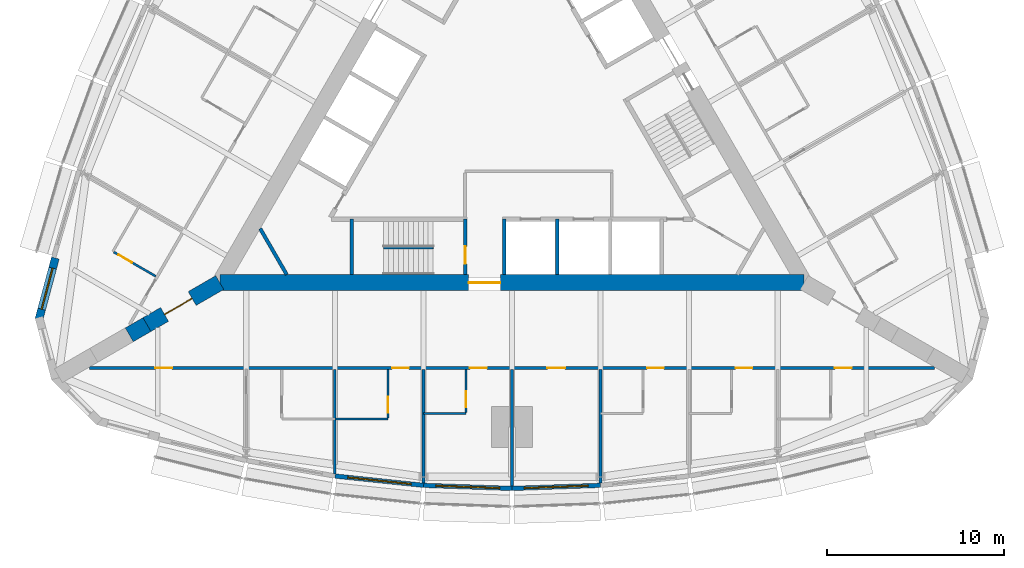
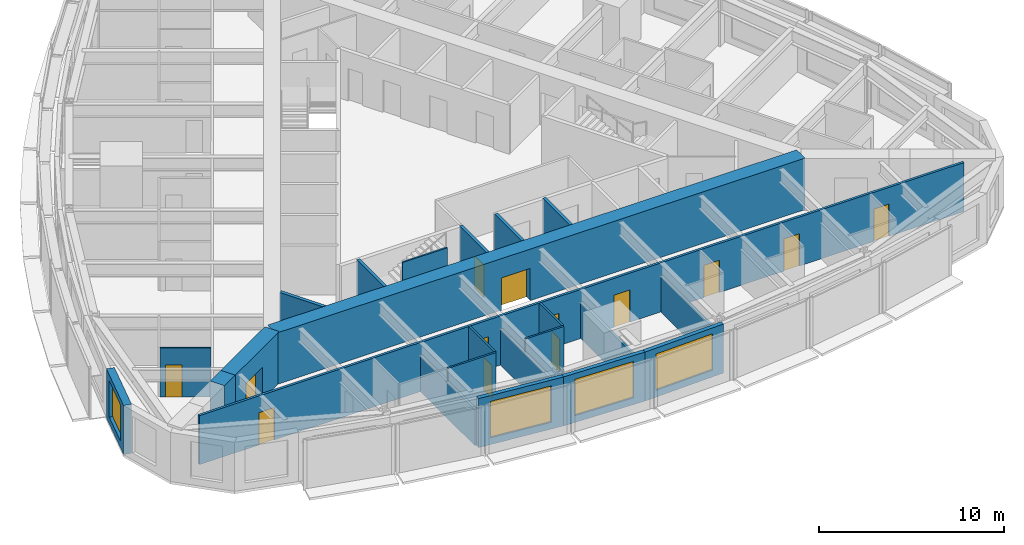
# One storey, part 8 of 14: 23 walls, 13 doors, 4 windows, 17 openings.
"""IFC4 building model written with IfcOpenShell, lengths in metres."""

from ifc_helpers import new_model, si_unit, direction, frame, frame_2d, origin, place, context, subcontext, project, spatial, rectangle, extrude, material, layer, layer_set, type_object, element, fill, save


model = new_model("IFC4")

# Units and contexts
model_context = context("Model", 3, precision=1e-05, world=origin(), true_north=direction((0.0, 1.0)))
body_context = subcontext(model_context, "Body", "Model", "MODEL_VIEW")
ifc_project = project(units=[si_unit("LENGTHUNIT", "METRE"), si_unit("AREAUNIT", "SQUARE_METRE"), si_unit("VOLUMEUNIT", "CUBIC_METRE"), si_unit("PLANEANGLEUNIT", "RADIAN"), si_unit("MASSUNIT", "GRAM", prefix="KILO")], contexts=[model_context])

# Site, building, storey
site_placement = place(None, origin())
site = spatial("IfcSite", under=ifc_project, at=site_placement, CompositionType="ELEMENT")
building_placement = place(site_placement, origin())
building = spatial("IfcBuilding", under=site, at=building_placement, Name="Trikona Tower", CompositionType="ELEMENT")
storey_placement = place(building_placement, frame((0.0, 0.0, 148.699951171875)))
storey = spatial("IfcBuildingStorey", under=building, at=storey_placement, Name="L39", CompositionType="ELEMENT", Elevation=148.699951171875)

# Wall
ifc_material_1 = material(Name="Metal stud and cement board", Category="gypsum")
ifc_layer_1 = layer(ifc_material_1, 0.1201171875)
ifc_layer_set_1 = layer_set([ifc_layer_1], Name="Bathroom wall 120")
wall_type_1 = type_object("IfcWallType", Name="Bathroom wall 120", PredefinedType="PLUMBINGWALL", material=ifc_layer_set_1)
wall_1_placement = place(storey_placement, frame((-10.0, -17.226318359375, 0.0), z_axis=(0.0, 0.0, 1.0), x_axis=(1.0, 0.0, 0.0)))
element("IfcWall", 1, at=wall_1_placement, inside=storey, type_object=wall_type_1, Name="Bathroom wall 3902", PredefinedType="PLUMBINGWALL", context=body_context, shape_type="SweptSolid", body=[
    extrude(rectangle(XDim=3.0, YDim=0.1201171875, at=frame_2d((1.5, 0.0))), origin(), (0.0, 0.0, 1.0), 3.235107421875),
])

# Wall, opening, door
wall_2_placement = place(storey_placement, frame((-7.0, -14.42626953125, 0.0), z_axis=(0.0, 0.0, 1.0), x_axis=(0.0, -1.0, 0.0)))
wall_2 = element("IfcWall", 2, at=wall_2_placement, inside=storey, type_object=wall_type_1, Name="Bathroom wall 3902", PredefinedType="PLUMBINGWALL", context=body_context, shape_type="SweptSolid", body=[
    extrude(rectangle(XDim=2.739990234375, YDim=0.1201171875, at=frame_2d((1.3701171875, 0.0))), origin(), (0.0, 0.0, 1.0), 3.235107421875),
])
opening_1_placement = place(wall_2_placement, frame((1.550048828125, 0.0, 0.0)))
opening_1 = element("IfcOpeningElement", 3, at=opening_1_placement, cuts=wall_2, Name="Opening D2", PredefinedType="OPENING", context=body_context, shape_type="SweptSolid", body=[
    extrude(rectangle(XDim=0.89990234375, YDim=2.1298828125, at=frame_2d((0.449951171875, 1.06494140625))), frame((0.0, 0.070068359375, 0.0), z_axis=(0.0, -1.0, 0.0), x_axis=(1.0, 0.0, 0.0)), (0.0, 0.0, 1.0), 0.14013671875),
])
ifc_material_2 = material(Name="Steel door frame with solid-core timber leaf", Category="steel")
door_type_1 = type_object("IfcDoorType", Name="Bathroom door 900x2130", OperationType="SLIDING_TO_LEFT", PredefinedType="DOOR", material=ifc_material_2)
door_1_placement = place(opening_1_placement, origin())
door_1 = element("IfcDoor", 4, at=door_1_placement, inside=storey, type_object=door_type_1, Name="Bathroom door 3902", OperationType="SLIDING_TO_LEFT", OverallHeight=2.1298828125, OverallWidth=0.89990234375, PredefinedType="DOOR", context=body_context, shape_type="SweptSolid", body=[
    extrude(rectangle(XDim=0.89990234375, YDim=2.1298828125, at=frame_2d((0.449951171875, 1.06494140625))), frame((0.0, 0.02490234375, 0.0), z_axis=(0.0, -1.0, 0.0), x_axis=(1.0, 0.0, 0.0)), (0.0, 0.0, 1.0), 0.050048828125),
])
fill(opening_1, door_1)

# Wall
wall_3_placement = place(storey_placement, frame((-5.0, -16.92626953125, 0.0), z_axis=(0.0, 0.0, 1.0), x_axis=(1.0, 0.0, 0.0)))
element("IfcWall", 5, at=wall_3_placement, inside=storey, type_object=wall_type_1, Name="Bathroom wall 3903", PredefinedType="PLUMBINGWALL", context=body_context, shape_type="SweptSolid", body=[
    extrude(rectangle(XDim=2.39990234375, YDim=0.1201171875, at=frame_2d((1.199951171875, 0.0))), origin(), (0.0, 0.0, 1.0), 3.235107421875),
])

# Wall, opening, door
wall_4_placement = place(storey_placement, frame((-2.60009765625, -14.42626953125, 0.0), z_axis=(0.0, 0.0, 1.0), x_axis=(0.0, -1.0, 0.0)))
wall_4 = element("IfcWall", 6, at=wall_4_placement, inside=storey, type_object=wall_type_1, Name="Bathroom wall 3903", PredefinedType="PLUMBINGWALL", context=body_context, shape_type="SweptSolid", body=[
    extrude(rectangle(XDim=2.43994140625, YDim=0.1201171875, at=frame_2d((1.219970703125, 0.0))), origin(), (0.0, 0.0, 1.0), 3.235107421875),
])
opening_2_placement = place(wall_4_placement, frame((1.25, 0.0, 0.0)))
opening_2 = element("IfcOpeningElement", 7, at=opening_2_placement, cuts=wall_4, Name="Opening D2", PredefinedType="OPENING", context=body_context, shape_type="SweptSolid", body=[
    extrude(rectangle(XDim=0.89990234375, YDim=2.1298828125, at=frame_2d((0.449951171875, 1.06494140625))), frame((0.0, 0.070068359375, 0.0), z_axis=(0.0, -1.0, 0.0), x_axis=(1.0, 0.0, 0.0)), (0.0, 0.0, 1.0), 0.14013671875),
])
door_2_placement = place(opening_2_placement, origin())
door_2 = element("IfcDoor", 8, at=door_2_placement, inside=storey, type_object=door_type_1, Name="Bathroom door 3903", OperationType="SLIDING_TO_LEFT", OverallHeight=2.1298828125, OverallWidth=0.89990234375, PredefinedType="DOOR", context=body_context, shape_type="SweptSolid", body=[
    extrude(rectangle(XDim=0.89990234375, YDim=2.1298828125, at=frame_2d((0.449951171875, 1.06494140625))), frame((0.0, 0.02490234375, 0.0), z_axis=(0.0, -1.0, 0.0), x_axis=(1.0, 0.0, 0.0)), (0.0, 0.0, 1.0), 0.050048828125),
])
fill(opening_2, door_2)

wall_5_placement = place(storey_placement, frame((-20.10791015625, -9.17529296875, 0.0), z_axis=(0.0, 0.0, 1.0), x_axis=(-0.866035715982, 0.499982138324, 0.0)))
wall_5 = element("IfcWall", 9, at=wall_5_placement, inside=storey, type_object=wall_type_1, Name="Bathroom wall 3917", PredefinedType="PLUMBINGWALL", context=body_context, shape_type="SweptSolid", body=[
    extrude(rectangle(XDim=2.73974609375, YDim=0.1201171875, at=frame_2d((1.369873046875, 0.0))), origin(), (0.0, 0.0, 1.0), 3.235107421875),
])
opening_3_placement = place(wall_5_placement, frame((1.550048828125, 0.0, 0.0)))
opening_3 = element("IfcOpeningElement", 10, at=opening_3_placement, cuts=wall_5, Name="Opening D2", PredefinedType="OPENING", context=body_context, shape_type="SweptSolid", body=[
    extrude(rectangle(XDim=0.89990234375, YDim=2.1298828125, at=frame_2d((0.449951171875, 1.06494140625))), frame((0.0, 0.070068359375, 0.0), z_axis=(0.0, -1.0, 0.0), x_axis=(1.0, 0.0, 0.0)), (0.0, 0.0, 1.0), 0.14013671875),
])
door_3_placement = place(opening_3_placement, origin())
door_3 = element("IfcDoor", 11, at=door_3_placement, inside=storey, type_object=door_type_1, Name="Bathroom door 3917", OperationType="SLIDING_TO_LEFT", OverallHeight=2.1298828125, OverallWidth=0.89990234375, PredefinedType="DOOR", context=body_context, shape_type="SweptSolid", body=[
    extrude(rectangle(XDim=0.89990234375, YDim=2.1298828125, at=frame_2d((0.449951171875, 1.06494140625))), frame((0.0, 0.02490234375, 0.0), z_axis=(0.0, -1.0, 0.0), x_axis=(1.0, 0.0, 0.0)), (0.0, 0.0, 1.0), 0.050048828125),
])
fill(opening_3, door_3)

# Wall, opening, window
ifc_material_3 = material(Name="Brick-faced precast concrete", Category="masonry")
ifc_layer_2 = layer(ifc_material_3, 0.449951171875)
ifc_layer_set_2 = layer_set([ifc_layer_2], Name="Brick-faced corner wall 450")
wall_type_2 = type_object("IfcWallType", Name="Brick-faced corner wall 450", PredefinedType="SOLIDWALL", material=ifc_layer_set_2)
wall_6_placement = place(storey_placement, frame((-25.78271484375, -8.14111328125, 0.0), z_axis=(0.0, 0.0, 1.0), x_axis=(-0.258823421857, -0.965924653531, 0.0)))
wall_6 = element("IfcWall", 12, at=wall_6_placement, inside=storey, type_object=wall_type_2, Name="External wall L39-32", PredefinedType="SOLIDWALL", context=body_context, shape_type="SweptSolid", body=[
    extrude(rectangle(XDim=3.58642578125, YDim=0.449951171875, at=frame_2d((1.793212890625, 0.0))), origin(), (0.0, 0.0, 1.0), 3.235107421875),
])
opening_4_placement = place(wall_6_placement, frame((0.593017578125, 0.0, 0.449951171875)))
opening_4 = element("IfcOpeningElement", 13, at=opening_4_placement, cuts=wall_6, Name="Opening W2424", PredefinedType="OPENING", context=body_context, shape_type="SweptSolid", body=[
    extrude(rectangle(XDim=2.39990234375, YDim=2.39990234375, at=frame_2d((1.199951171875, 1.199951171875))), frame((0.0, 0.23486328125, 0.0), z_axis=(0.0, -1.0, 0.0), x_axis=(1.0, 0.0, 0.0)), (0.0, 0.0, 1.0), 0.469970703125),
])
ifc_material_4 = material(Name="Aluminium-framed double glazing", Category="aluminium")
window_type_1 = type_object("IfcWindowType", Name="Window 2400x2400", PartitioningType="SINGLE_PANEL", PredefinedType="WINDOW", material=ifc_material_4)
window_1_placement = place(opening_4_placement, origin())
window_1 = element("IfcWindow", 14, at=window_1_placement, inside=storey, type_object=window_type_1, Name="Window 3917", OverallHeight=2.39990234375, OverallWidth=2.39990234375, PartitioningType="SINGLE_PANEL", PredefinedType="WINDOW", context=body_context, shape_type="SweptSolid", body=[
    extrude(rectangle(XDim=2.39990234375, YDim=2.39990234375, at=frame_2d((1.199951171875, 1.199951171875))), frame((0.0, 0.030029296875, 0.0), z_axis=(0.0, -1.0, 0.0), x_axis=(1.0, 0.0, 0.0)), (0.0, 0.0, 1.0), 0.06005859375),
])
fill(opening_4, window_1)

# Wall, opening, door
ifc_material_5 = material(Name="Concrete f'c 10000 psi", Category="concrete")
ifc_layer_3 = layer(ifc_material_5, 0.89990234375)
ifc_layer_set_3 = layer_set([ifc_layer_3], Name="Buttress wall 900")
wall_type_3 = type_object("IfcWallType", Name="Buttress wall 900", PredefinedType="SHEAR", material=ifc_layer_set_3)
wall_7_placement = place(storey_placement, frame((-16.5, -9.5263671875, 0.0), z_axis=(0.0, 0.0, 1.0), x_axis=(-0.866031398331, -0.499989616998, 0.0)))
wall_7 = element("IfcWall", 15, at=wall_7_placement, inside=storey, type_object=wall_type_3, Name="Buttress wall 3", PredefinedType="SHEAR", context=body_context, shape_type="SweptSolid", body=[
    extrude(rectangle(XDim=4.74609375, YDim=0.89990234375, at=frame_2d((2.373046875, 0.0))), origin(), (0.0, 0.0, 1.0), 3.400146484375),
])
opening_5_placement = place(wall_7_placement, frame((1.800048828125, 0.0, 0.0)))
opening_5 = element("IfcOpeningElement", 16, at=opening_5_placement, cuts=wall_7, Name="Opening D10", PredefinedType="OPENING", context=body_context, shape_type="SweptSolid", body=[
    extrude(rectangle(XDim=1.800048828125, YDim=2.1298828125, at=frame_2d((0.89990234375, 1.06494140625))), frame((0.0, 0.4599609375, 0.0), z_axis=(0.0, -1.0, 0.0), x_axis=(1.0, 0.0, 0.0)), (0.0, 0.0, 1.0), 0.919921875),
])
ifc_material_6 = material(Name="Hollow metal door and frame", Category="steel")
door_type_2 = type_object("IfcDoorType", Name="Cross-corridor door pair 1800x2130", OperationType="DOUBLE_DOOR_DOUBLE_SWING", PredefinedType="DOOR", material=ifc_material_6)
door_4_placement = place(opening_5_placement, origin())
door_4 = element("IfcDoor", 17, at=door_4_placement, inside=storey, type_object=door_type_2, Name="Cross-corridor door 3", OperationType="DOUBLE_DOOR_DOUBLE_SWING", OverallHeight=2.1298828125, OverallWidth=1.800048828125, PredefinedType="DOOR", context=body_context, shape_type="SweptSolid", body=[
    extrude(rectangle(XDim=1.800048828125, YDim=2.1298828125, at=frame_2d((0.89990234375, 1.06494140625))), frame((0.0, 0.02490234375, 0.0), z_axis=(0.0, -1.0, 0.0), x_axis=(1.0, 0.0, 0.0)), (0.0, 0.0, 1.0), 0.050048828125),
])
fill(opening_5, door_4)

# Wall
wall_8_placement = place(storey_placement, frame((-20.6103515625, -11.8994140625, 0.0), z_axis=(0.0, 0.0, 1.0), x_axis=(-0.866009537788, -0.500027479704, 0.0)))
element("IfcWall", 18, at=wall_8_placement, inside=storey, type_object=wall_type_3, Name="Buttress wall 3 part 2", PredefinedType="SHEAR", context=body_context, shape_type="SweptSolid", body=[
    extrude(rectangle(XDim=1.15478515625, YDim=0.89990234375, at=frame_2d((0.577392578125, 0.0))), origin(), (0.0, 0.0, 1.0), 3.400146484375),
])

# Wall, opening, door
ifc_material_7 = material(Name="Concrete f'c 10000 psi", Category="concrete")
ifc_layer_4 = layer(ifc_material_7, 0.89990234375)
ifc_layer_set_4 = layer_set([ifc_layer_4], Name="Core wall 900")
wall_type_4 = type_object("IfcWallType", Name="Core wall 900", PredefinedType="SHEAR", material=ifc_layer_set_4)
wall_9_placement = place(storey_placement, frame((-16.5, -9.5263671875, 0.0), z_axis=(0.0, 0.0, 1.0), x_axis=(1.0, 0.0, 0.0)))
wall_9 = element("IfcWall", 19, at=wall_9_placement, inside=storey, type_object=wall_type_4, Name="Core wall A", PredefinedType="SHEAR", context=body_context, shape_type="SweptSolid", body=[
    extrude(rectangle(XDim=33.0, YDim=0.89990234375, at=frame_2d((16.5, 0.0))), origin(), (0.0, 0.0, 1.0), 3.400146484375),
])
opening_6_placement = place(wall_9_placement, frame((14.050048828125, 0.0, 0.0)))
opening_6 = element("IfcOpeningElement", 20, at=opening_6_placement, cuts=wall_9, Name="Opening D6", PredefinedType="OPENING", context=body_context, shape_type="SweptSolid", body=[
    extrude(rectangle(XDim=1.800048828125, YDim=2.1298828125, at=frame_2d((0.89990234375, 1.06494140625))), frame((0.0, 0.4599609375, 0.0), z_axis=(0.0, -1.0, 0.0), x_axis=(1.0, 0.0, 0.0)), (0.0, 0.0, 1.0), 0.919921875),
])
ifc_material_8 = material(Name="Hollow metal door and frame", Category="steel")
door_type_3 = type_object("IfcDoorType", Name="Lobby door pair 1800x2130", OperationType="DOUBLE_DOOR_SINGLE_SWING", PredefinedType="DOOR", material=ifc_material_8)
door_5_placement = place(opening_6_placement, origin())
door_5 = element("IfcDoor", 21, at=door_5_placement, inside=storey, type_object=door_type_3, Name="Fire service lift lobby door", OperationType="DOUBLE_DOOR_SINGLE_SWING", OverallHeight=2.1298828125, OverallWidth=1.800048828125, PredefinedType="DOOR", context=body_context, shape_type="SweptSolid", body=[
    extrude(rectangle(XDim=1.800048828125, YDim=2.1298828125, at=frame_2d((0.89990234375, 1.06494140625))), frame((0.0, 0.02490234375, 0.0), z_axis=(0.0, -1.0, 0.0), x_axis=(1.0, 0.0, 0.0)), (0.0, 0.0, 1.0), 0.050048828125),
])
fill(opening_6, door_5)

# Wall, openings, doors
ifc_material_9 = material(Name="Metal stud and gypsum board, 1-hour", Category="gypsum")
ifc_layer_5 = layer(ifc_material_9, 0.14990234375)
ifc_layer_set_5 = layer_set([ifc_layer_5], Name="Corridor wall 150")
wall_type_5 = type_object("IfcWallType", Name="Corridor wall 150", PredefinedType="PARTITIONING", material=ifc_layer_set_5)
wall_10_placement = place(storey_placement, frame((-23.857177734375, -14.351318359375, 0.0), z_axis=(0.0, 0.0, 1.0), x_axis=(1.0, 0.0, 0.0)))
wall_10 = element("IfcWall", 22, at=wall_10_placement, inside=storey, type_object=wall_type_5, Name="Corridor wall L39-1", PredefinedType="PARTITIONING", context=body_context, shape_type="SweptSolid", body=[
    extrude(rectangle(XDim=47.71435546875, YDim=0.14990234375, at=frame_2d((23.857177734375, 0.0))), origin(), (0.0, 0.0, 1.0), 3.235107421875),
])
opening_7_placement = place(wall_10_placement, frame((3.723388671875, 0.0, 0.0)))
opening_7 = element("IfcOpeningElement", 23, at=opening_7_placement, cuts=wall_10, Name="Opening D1", PredefinedType="OPENING", context=body_context, shape_type="SweptSolid", body=[
    extrude(rectangle(XDim=0.949951171875, YDim=2.1298828125, at=frame_2d((0.47509765625, 1.06494140625))), frame((0.0, 0.0849609375, 0.0), z_axis=(0.0, -1.0, 0.0), x_axis=(1.0, 0.0, 0.0)), (0.0, 0.0, 1.0), 0.169921875),
])
opening_8_placement = place(wall_10_placement, frame((17.08203125, 0.0, 0.0)))
opening_8 = element("IfcOpeningElement", 24, at=opening_8_placement, cuts=wall_10, Name="Opening D1", PredefinedType="OPENING", context=body_context, shape_type="SweptSolid", body=[
    extrude(rectangle(XDim=0.949951171875, YDim=2.1298828125, at=frame_2d((0.47509765625, 1.06494140625))), frame((0.0, 0.0849609375, 0.0), z_axis=(0.0, -1.0, 0.0), x_axis=(1.0, 0.0, 0.0)), (0.0, 0.0, 1.0), 0.169921875),
])
opening_9_placement = place(wall_10_placement, frame((21.482177734375, 0.0, 0.0)))
opening_9 = element("IfcOpeningElement", 25, at=opening_9_placement, cuts=wall_10, Name="Opening D1", PredefinedType="OPENING", context=body_context, shape_type="SweptSolid", body=[
    extrude(rectangle(XDim=0.949951171875, YDim=2.1298828125, at=frame_2d((0.47509765625, 1.06494140625))), frame((0.0, 0.0849609375, 0.0), z_axis=(0.0, -1.0, 0.0), x_axis=(1.0, 0.0, 0.0)), (0.0, 0.0, 1.0), 0.169921875),
])
opening_10_placement = place(wall_10_placement, frame((25.857177734375, 0.0, 0.0)))
opening_10 = element("IfcOpeningElement", 26, at=opening_10_placement, cuts=wall_10, Name="Opening D3", PredefinedType="OPENING", context=body_context, shape_type="SweptSolid", body=[
    extrude(rectangle(XDim=1.0, YDim=2.1298828125, at=frame_2d((0.5, 1.06494140625))), frame((0.0, 0.0849609375, 0.0), z_axis=(0.0, -1.0, 0.0), x_axis=(1.0, 0.0, 0.0)), (0.0, 0.0, 1.0), 0.169921875),
])
opening_11_placement = place(wall_10_placement, frame((31.482177734375, 0.0, 0.0)))
opening_11 = element("IfcOpeningElement", 27, at=opening_11_placement, cuts=wall_10, Name="Opening D1", PredefinedType="OPENING", context=body_context, shape_type="SweptSolid", body=[
    extrude(rectangle(XDim=0.949951171875, YDim=2.1298828125, at=frame_2d((0.47509765625, 1.06494140625))), frame((0.0, 0.0849609375, 0.0), z_axis=(0.0, -1.0, 0.0), x_axis=(1.0, 0.0, 0.0)), (0.0, 0.0, 1.0), 0.169921875),
])
opening_12_placement = place(wall_10_placement, frame((36.482177734375, 0.0, 0.0)))
opening_12 = element("IfcOpeningElement", 28, at=opening_12_placement, cuts=wall_10, Name="Opening D1", PredefinedType="OPENING", context=body_context, shape_type="SweptSolid", body=[
    extrude(rectangle(XDim=0.949951171875, YDim=2.1298828125, at=frame_2d((0.47509765625, 1.06494140625))), frame((0.0, 0.0849609375, 0.0), z_axis=(0.0, -1.0, 0.0), x_axis=(1.0, 0.0, 0.0)), (0.0, 0.0, 1.0), 0.169921875),
])
opening_13_placement = place(wall_10_placement, frame((42.08203125, 0.0, 0.0)))
opening_13 = element("IfcOpeningElement", 29, at=opening_13_placement, cuts=wall_10, Name="Opening D1", PredefinedType="OPENING", context=body_context, shape_type="SweptSolid", body=[
    extrude(rectangle(XDim=0.949951171875, YDim=2.1298828125, at=frame_2d((0.47509765625, 1.06494140625))), frame((0.0, 0.0849609375, 0.0), z_axis=(0.0, -1.0, 0.0), x_axis=(1.0, 0.0, 0.0)), (0.0, 0.0, 1.0), 0.169921875),
])
ifc_material_10 = material(Name="Steel door frame with solid-core timber leaf", Category="steel")
door_type_4 = type_object("IfcDoorType", Name="Guest room door 950x2130", OperationType="SINGLE_SWING_LEFT", PredefinedType="DOOR", material=ifc_material_10)
door_6_placement = place(opening_7_placement, origin())
door_6 = element("IfcDoor", 30, at=door_6_placement, inside=storey, type_object=door_type_4, Name="Room door 3901", OperationType="SINGLE_SWING_LEFT", OverallHeight=2.1298828125, OverallWidth=0.949951171875, PredefinedType="DOOR", context=body_context, shape_type="SweptSolid", body=[
    extrude(rectangle(XDim=0.949951171875, YDim=2.1298828125, at=frame_2d((0.47509765625, 1.06494140625))), frame((0.0, 0.02490234375, 0.0), z_axis=(0.0, -1.0, 0.0), x_axis=(1.0, 0.0, 0.0)), (0.0, 0.0, 1.0), 0.050048828125),
])
fill(opening_7, door_6)
door_7_placement = place(opening_8_placement, origin())
door_7 = element("IfcDoor", 31, at=door_7_placement, inside=storey, type_object=door_type_4, Name="Room door 3902", OperationType="SINGLE_SWING_RIGHT", OverallHeight=2.1298828125, OverallWidth=0.949951171875, PredefinedType="DOOR", context=body_context, shape_type="SweptSolid", body=[
    extrude(rectangle(XDim=0.949951171875, YDim=2.1298828125, at=frame_2d((0.47509765625, 1.06494140625))), frame((0.0, 0.02490234375, 0.0), z_axis=(0.0, -1.0, 0.0), x_axis=(1.0, 0.0, 0.0)), (0.0, 0.0, 1.0), 0.050048828125),
])
fill(opening_8, door_7)
door_8_placement = place(opening_9_placement, origin())
door_8 = element("IfcDoor", 32, at=door_8_placement, inside=storey, type_object=door_type_4, Name="Room door 3903", OperationType="SINGLE_SWING_LEFT", OverallHeight=2.1298828125, OverallWidth=0.949951171875, PredefinedType="DOOR", context=body_context, shape_type="SweptSolid", body=[
    extrude(rectangle(XDim=0.949951171875, YDim=2.1298828125, at=frame_2d((0.47509765625, 1.06494140625))), frame((0.0, 0.02490234375, 0.0), z_axis=(0.0, -1.0, 0.0), x_axis=(1.0, 0.0, 0.0)), (0.0, 0.0, 1.0), 0.050048828125),
])
fill(opening_9, door_8)
door_9_placement = place(opening_11_placement, origin())
door_9 = element("IfcDoor", 33, at=door_9_placement, inside=storey, type_object=door_type_4, Name="Room door 3904", OperationType="SINGLE_SWING_LEFT", OverallHeight=2.1298828125, OverallWidth=0.949951171875, PredefinedType="DOOR", context=body_context, shape_type="SweptSolid", body=[
    extrude(rectangle(XDim=0.949951171875, YDim=2.1298828125, at=frame_2d((0.47509765625, 1.06494140625))), frame((0.0, 0.02490234375, 0.0), z_axis=(0.0, -1.0, 0.0), x_axis=(1.0, 0.0, 0.0)), (0.0, 0.0, 1.0), 0.050048828125),
])
fill(opening_11, door_9)
door_10_placement = place(opening_12_placement, origin())
door_10 = element("IfcDoor", 34, at=door_10_placement, inside=storey, type_object=door_type_4, Name="Room door 3905", OperationType="SINGLE_SWING_RIGHT", OverallHeight=2.1298828125, OverallWidth=0.949951171875, PredefinedType="DOOR", context=body_context, shape_type="SweptSolid", body=[
    extrude(rectangle(XDim=0.949951171875, YDim=2.1298828125, at=frame_2d((0.47509765625, 1.06494140625))), frame((0.0, 0.02490234375, 0.0), z_axis=(0.0, -1.0, 0.0), x_axis=(1.0, 0.0, 0.0)), (0.0, 0.0, 1.0), 0.050048828125),
])
fill(opening_12, door_10)
door_11_placement = place(opening_13_placement, origin())
door_11 = element("IfcDoor", 35, at=door_11_placement, inside=storey, type_object=door_type_4, Name="Room door 3906", OperationType="SINGLE_SWING_LEFT", OverallHeight=2.1298828125, OverallWidth=0.949951171875, PredefinedType="DOOR", context=body_context, shape_type="SweptSolid", body=[
    extrude(rectangle(XDim=0.949951171875, YDim=2.1298828125, at=frame_2d((0.47509765625, 1.06494140625))), frame((0.0, 0.02490234375, 0.0), z_axis=(0.0, -1.0, 0.0), x_axis=(1.0, 0.0, 0.0)), (0.0, 0.0, 1.0), 0.050048828125),
])
fill(opening_13, door_11)
ifc_material_11 = material(Name="Steel door frame with solid-core timber leaf", Category="steel")
door_type_5 = type_object("IfcDoorType", Name="Room door 1000x2130", OperationType="SINGLE_SWING_LEFT", PredefinedType="DOOR", material=ifc_material_11)
door_12_placement = place(opening_10_placement, origin())
door_12 = element("IfcDoor", 36, at=door_12_placement, inside=storey, type_object=door_type_5, Name="Door Housekeeping pantry", OperationType="SINGLE_SWING_RIGHT", OverallHeight=2.1298828125, OverallWidth=1.0, PredefinedType="DOOR", context=body_context, shape_type="SweptSolid", body=[
    extrude(rectangle(XDim=1.0, YDim=2.1298828125, at=frame_2d((0.5, 1.06494140625))), frame((0.0, 0.02490234375, 0.0), z_axis=(0.0, -1.0, 0.0), x_axis=(1.0, 0.0, 0.0)), (0.0, 0.0, 1.0), 0.050048828125),
])
fill(opening_10, door_12)

# Wall, opening, window
ifc_material_12 = material(Name="Insulated precast concrete spandrel panel", Category="concrete")
ifc_layer_6 = layer(ifc_material_12, 0.25)
ifc_layer_set_6 = layer_set([ifc_layer_6], Name="Inner skin wall 250")
wall_type_6 = type_object("IfcWallType", Name="Inner skin wall 250", PredefinedType="STANDARD", material=ifc_layer_set_6)
wall_11_placement = place(storey_placement, frame((-9.98681640625, -20.450927734375, 0.0), z_axis=(0.0, 0.0, 1.0), x_axis=(0.994534683851, -0.104406717299, 0.0)))
wall_11 = element("IfcWall", 37, at=wall_11_placement, inside=storey, type_object=wall_type_6, Name="External wall L39-02", PredefinedType="STANDARD", context=body_context, shape_type="SweptSolid", body=[
    extrude(rectangle(XDim=5.027587890625, YDim=0.25, at=frame_2d((2.513671875, 0.0))), origin(), (0.0, 0.0, 1.0), 3.235107421875),
])
opening_14_placement = place(wall_11_placement, frame((0.713623046875, 0.0, 0.449951171875)))
opening_14 = element("IfcOpeningElement", 38, at=opening_14_placement, cuts=wall_11, Name="Opening W3624", PredefinedType="OPENING", context=body_context, shape_type="SweptSolid", body=[
    extrude(rectangle(XDim=3.60009765625, YDim=2.39990234375, at=frame_2d((1.800048828125, 1.199951171875))), frame((0.0, 0.135009765625, 0.0), z_axis=(0.0, -1.0, 0.0), x_axis=(1.0, 0.0, 0.0)), (0.0, 0.0, 1.0), 0.27001953125),
])
ifc_material_13 = material(Name="Aluminium-framed double glazing", Category="aluminium")
window_type_2 = type_object("IfcWindowType", Name="Window 3600x2400", PartitioningType="SINGLE_PANEL", PredefinedType="WINDOW", material=ifc_material_13)
window_2_placement = place(opening_14_placement, origin())
window_2 = element("IfcWindow", 39, at=window_2_placement, inside=storey, type_object=window_type_2, Name="Window 3902", OverallHeight=2.39990234375, OverallWidth=3.60009765625, PartitioningType="SINGLE_PANEL", PredefinedType="WINDOW", context=body_context, shape_type="SweptSolid", body=[
    extrude(rectangle(XDim=3.60009765625, YDim=2.39990234375, at=frame_2d((1.800048828125, 1.199951171875))), frame((0.0, 0.030029296875, 0.0), z_axis=(0.0, -1.0, 0.0), x_axis=(1.0, 0.0, 0.0)), (0.0, 0.0, 1.0), 0.06005859375),
])
fill(opening_14, window_2)

wall_12_placement = place(storey_placement, frame((-4.99560546875, -20.975341796875, 0.0), z_axis=(0.0, 0.0, 1.0), x_axis=(0.999387720943, -0.034988329879, 0.0)))
wall_12 = element("IfcWall", 40, at=wall_12_placement, inside=storey, type_object=wall_type_6, Name="External wall L39-03", PredefinedType="STANDARD", context=body_context, shape_type="SweptSolid", body=[
    extrude(rectangle(XDim=5.003173828125, YDim=0.25, at=frame_2d((2.50146484375, 0.0))), origin(), (0.0, 0.0, 1.0), 3.235107421875),
])
opening_15_placement = place(wall_12_placement, frame((0.701416015625, 0.0, 0.449951171875)))
opening_15 = element("IfcOpeningElement", 41, at=opening_15_placement, cuts=wall_12, Name="Opening W3624", PredefinedType="OPENING", context=body_context, shape_type="SweptSolid", body=[
    extrude(rectangle(XDim=3.60009765625, YDim=2.39990234375, at=frame_2d((1.800048828125, 1.199951171875))), frame((0.0, 0.135009765625, 0.0), z_axis=(0.0, -1.0, 0.0), x_axis=(1.0, 0.0, 0.0)), (0.0, 0.0, 1.0), 0.27001953125),
])
window_3_placement = place(opening_15_placement, origin())
window_3 = element("IfcWindow", 42, at=window_3_placement, inside=storey, type_object=window_type_2, Name="Window 3903", OverallHeight=2.39990234375, OverallWidth=3.60009765625, PartitioningType="SINGLE_PANEL", PredefinedType="WINDOW", context=body_context, shape_type="SweptSolid", body=[
    extrude(rectangle(XDim=3.60009765625, YDim=2.39990234375, at=frame_2d((1.800048828125, 1.199951171875))), frame((0.0, 0.030029296875, 0.0), z_axis=(0.0, -1.0, 0.0), x_axis=(1.0, 0.0, 0.0)), (0.0, 0.0, 1.0), 0.06005859375),
])
fill(opening_15, window_3)

wall_13_placement = place(storey_placement, frame((-0.00439453125, -21.150390625, 0.0), z_axis=(0.0, 0.0, 1.0), x_axis=(0.999387720943, 0.034988329879, 0.0)))
wall_13 = element("IfcWall", 43, at=wall_13_placement, inside=storey, type_object=wall_type_6, Name="External wall L39-04", PredefinedType="STANDARD", context=body_context, shape_type="SweptSolid", body=[
    extrude(rectangle(XDim=5.003173828125, YDim=0.25, at=frame_2d((2.50146484375, 0.0))), origin(), (0.0, 0.0, 1.0), 3.235107421875),
])
opening_16_placement = place(wall_13_placement, frame((0.701416015625, 0.0, 0.449951171875)))
opening_16 = element("IfcOpeningElement", 44, at=opening_16_placement, cuts=wall_13, Name="Opening W3624", PredefinedType="OPENING", context=body_context, shape_type="SweptSolid", body=[
    extrude(rectangle(XDim=3.60009765625, YDim=2.39990234375, at=frame_2d((1.800048828125, 1.199951171875))), frame((0.0, 0.135009765625, 0.0), z_axis=(0.0, -1.0, 0.0), x_axis=(1.0, 0.0, 0.0)), (0.0, 0.0, 1.0), 0.27001953125),
])
window_4_placement = place(opening_16_placement, origin())
window_4 = element("IfcWindow", 45, at=window_4_placement, inside=storey, type_object=window_type_2, Name="Window L39-HKP", OverallHeight=2.39990234375, OverallWidth=3.60009765625, PartitioningType="SINGLE_PANEL", PredefinedType="WINDOW", context=body_context, shape_type="SweptSolid", body=[
    extrude(rectangle(XDim=3.60009765625, YDim=2.39990234375, at=frame_2d((1.800048828125, 1.199951171875))), frame((0.0, 0.030029296875, 0.0), z_axis=(0.0, -1.0, 0.0), x_axis=(1.0, 0.0, 0.0)), (0.0, 0.0, 1.0), 0.06005859375),
])
fill(opening_16, window_4)

# Walls
ifc_material_14 = material(Name="Metal stud and gypsum board, 1-hour acoustic", Category="gypsum")
ifc_layer_7 = layer(ifc_material_14, 0.14990234375)
ifc_layer_set_7 = layer_set([ifc_layer_7], Name="Party wall 150")
wall_type_7 = type_object("IfcWallType", Name="Party wall 150", PredefinedType="PARTITIONING", material=ifc_layer_set_7)
wall_14_placement = place(storey_placement, frame((-10.0, -14.42626953125, 0.0), z_axis=(0.0, 0.0, 1.0), x_axis=(0.0, -1.0, 0.0)))
element("IfcWall", 46, at=wall_14_placement, inside=storey, type_object=wall_type_7, Name="Partition L39 F1 u-10", PredefinedType="PARTITIONING", context=body_context, shape_type="SweptSolid", body=[
    extrude(rectangle(XDim=5.89501953125, YDim=0.14990234375, at=frame_2d((2.947509765625, 0.0))), origin(), (0.0, 0.0, 1.0), 2.38916015625),
])
wall_15_placement = place(storey_placement, frame((-5.0, -14.42626953125, 0.0), z_axis=(0.0, 0.0, 1.0), x_axis=(0.0, -1.0, 0.0)))
element("IfcWall", 47, at=wall_15_placement, inside=storey, type_object=wall_type_7, Name="Partition L39 F1 u-5", PredefinedType="PARTITIONING", context=body_context, shape_type="SweptSolid", body=[
    extrude(rectangle(XDim=6.422607421875, YDim=0.14990234375, at=frame_2d((3.21142578125, 0.0))), origin(), (0.0, 0.0, 1.0), 2.38916015625),
])
wall_16_placement = place(storey_placement, frame((0.0, -14.42626953125, 0.0), z_axis=(0.0, 0.0, 1.0), x_axis=(0.0, -1.0, 0.0)))
element("IfcWall", 48, at=wall_16_placement, inside=storey, type_object=wall_type_7, Name="Partition L39 F1 u-9.86076e-31", PredefinedType="PARTITIONING", context=body_context, shape_type="SweptSolid", body=[
    extrude(rectangle(XDim=6.5986328125, YDim=0.14990234375, at=frame_2d((3.29931640625, 0.0))), origin(), (0.0, 0.0, 1.0), 2.38916015625),
])
wall_17_placement = place(storey_placement, frame((5.0, -14.42626953125, 0.0), z_axis=(0.0, 0.0, 1.0), x_axis=(0.0, -1.0, 0.0)))
element("IfcWall", 49, at=wall_17_placement, inside=storey, type_object=wall_type_7, Name="Partition L39 F1 u5", PredefinedType="PARTITIONING", context=body_context, shape_type="SweptSolid", body=[
    extrude(rectangle(XDim=6.422607421875, YDim=0.14990234375, at=frame_2d((3.21142578125, 0.0))), origin(), (0.0, 0.0, 1.0), 2.38916015625),
])
ifc_material_15 = material(Name="Concrete f'c 8000 psi", Category="concrete")
ifc_layer_8 = layer(ifc_material_15, 0.199951171875)
ifc_layer_set_8 = layer_set([ifc_layer_8], Name="Shaft wall 200")
wall_type_8 = type_object("IfcWallType", Name="Shaft wall 200", PredefinedType="SOLIDWALL", material=ifc_layer_set_8)
for number, where, z_axis, x_axis, name in (
    (50, (-0.449951171875, -5.951416015625, 0.0), (0.0, 0.0, 1.0), (0.0, -1.0, 0.0), "Shaft wall A3"),
    (51, (2.550048828125, -5.951416015625, 0.0), (0.0, 0.0, 1.0), (0.0, -1.0, 0.0), "Shaft wall A4"),
):
    element("IfcWall", number, at=place(storey_placement, frame(where, z_axis=z_axis, x_axis=x_axis)), inside=storey, type_object=wall_type_8, Name=name, PredefinedType="SOLIDWALL", context=body_context, shape_type="SweptSolid", body=[
        extrude(rectangle(XDim=3.125, YDim=0.199951171875, at=frame_2d((1.5625, 0.0))), origin(), (0.0, 0.0, 1.0), 3.235107421875),
    ])
wall_18_placement = place(storey_placement, frame((-12.718505859375, -9.076416015625, 0.0), z_axis=(0.0, 0.0, 1.0), x_axis=(-0.499952404951, 0.866052881055, 0.0)))
element("IfcWall", 52, at=wall_18_placement, inside=storey, type_object=wall_type_8, Name="Riser wall L39-RS3", PredefinedType="SOLIDWALL", context=body_context, shape_type="SweptSolid", body=[
    extrude(rectangle(XDim=3.002197265625, YDim=0.199951171875, at=frame_2d((1.5009765625, 0.0))), origin(), (0.0, 0.0, 1.0), 3.235107421875),
])
ifc_material_16 = material(Name="Concrete f'c 8000 psi", Category="concrete")
ifc_layer_9 = layer(ifc_material_16, 0.199951171875)
ifc_layer_set_9 = layer_set([ifc_layer_9], Name="Shaft wall 200 load-bearing")
wall_type_9 = type_object("IfcWallType", Name="Shaft wall 200 load-bearing", PredefinedType="SOLIDWALL", material=ifc_layer_set_9)
wall_19_placement = place(storey_placement, frame((-9.050048828125, -5.951416015625, 0.0), z_axis=(0.0, 0.0, 1.0), x_axis=(0.0, -1.0, 0.0)))
element("IfcWall", 53, at=wall_19_placement, inside=storey, type_object=wall_type_9, Name="Shaft wall A1", PredefinedType="SOLIDWALL", context=body_context, shape_type="SweptSolid", body=[
    extrude(rectangle(XDim=3.125, YDim=0.199951171875, at=frame_2d((1.5625, 0.0))), origin(), (0.0, 0.0, 1.0), 3.235107421875),
])

# Wall, opening, door
wall_20_placement = place(storey_placement, frame((-2.64990234375, -5.951416015625, 0.0), z_axis=(0.0, 0.0, 1.0), x_axis=(0.0, -1.0, 0.0)))
wall_20 = element("IfcWall", 54, at=wall_20_placement, inside=storey, type_object=wall_type_9, Name="Shaft wall A2", PredefinedType="SOLIDWALL", context=body_context, shape_type="SweptSolid", body=[
    extrude(rectangle(XDim=3.125, YDim=0.199951171875, at=frame_2d((1.5625, 0.0))), origin(), (0.0, 0.0, 1.0), 3.235107421875),
])
opening_17_placement = place(wall_20_placement, frame((1.52490234375, 0.0, 0.0)))
opening_17 = element("IfcOpeningElement", 55, at=opening_17_placement, cuts=wall_20, Name="Opening D5", PredefinedType="OPENING", context=body_context, shape_type="SweptSolid", body=[
    extrude(rectangle(XDim=1.0, YDim=2.1298828125, at=frame_2d((0.5, 1.06494140625))), frame((0.0, 0.10986328125, 0.0), z_axis=(0.0, -1.0, 0.0), x_axis=(1.0, 0.0, 0.0)), (0.0, 0.0, 1.0), 0.219970703125),
])
ifc_material_17 = material(Name="Hollow metal door and frame", Category="steel")
door_type_6 = type_object("IfcDoorType", Name="Stair door 1000x2130", OperationType="SINGLE_SWING_LEFT", PredefinedType="DOOR", material=ifc_material_17)
door_13_placement = place(opening_17_placement, origin())
door_13 = element("IfcDoor", 56, at=door_13_placement, inside=storey, type_object=door_type_6, Name="Stair A door", OperationType="SINGLE_SWING_RIGHT", OverallHeight=2.1298828125, OverallWidth=1.0, PredefinedType="DOOR", context=body_context, shape_type="SweptSolid", body=[
    extrude(rectangle(XDim=1.0, YDim=2.1298828125, at=frame_2d((0.5, 1.06494140625))), frame((0.0, 0.02490234375, 0.0), z_axis=(0.0, -1.0, 0.0), x_axis=(1.0, 0.0, 0.0)), (0.0, 0.0, 1.0), 0.050048828125),
])
fill(opening_17, door_13)

# Wall
ifc_material_18 = material(Name="Concrete f'c 5000 psi", Category="concrete")
ifc_layer_10 = layer(ifc_material_18, 0.10009765625)
ifc_layer_set_10 = layer_set([ifc_layer_10], Name="Stair spine wall 100")
wall_type_10 = type_object("IfcWallType", Name="Stair spine wall 100", PredefinedType="SOLIDWALL", material=ifc_layer_set_10)
wall_21_placement = place(storey_placement, frame((-7.2470703125, -7.576416015625, 0.0), z_axis=(0.0, 0.0, 1.0), x_axis=(1.0, 0.0, 0.0)))
element("IfcWall", 57, at=wall_21_placement, inside=storey, type_object=wall_type_10, Name="Stair A spine wall L39", PredefinedType="SOLIDWALL", context=body_context, shape_type="SweptSolid", body=[
    extrude(rectangle(XDim=2.794189453125, YDim=0.10009765625, at=frame_2d((1.39697265625, 0.0))), origin(), (0.0, 0.0, 1.0), 3.400146484375),
])

save(model, "model.ifc")
